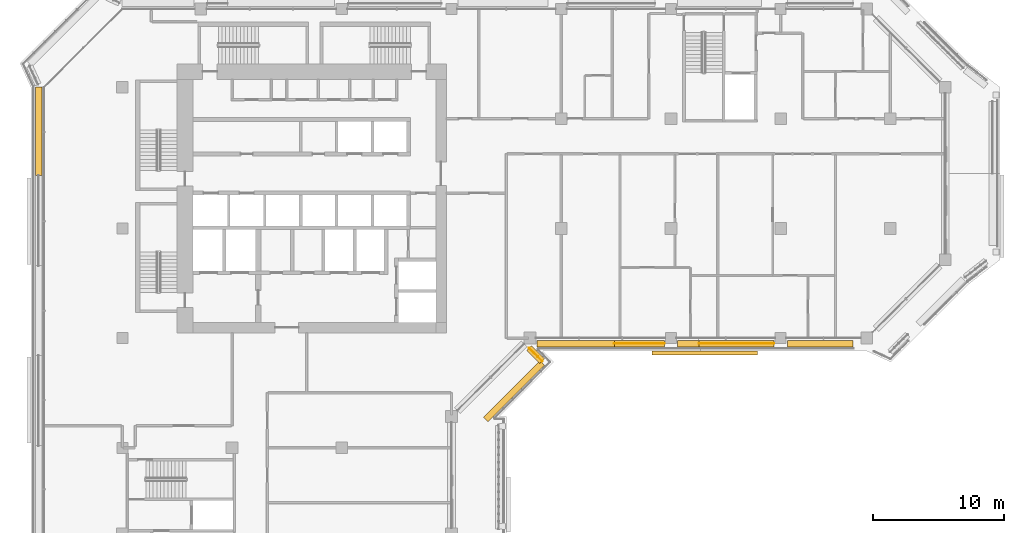
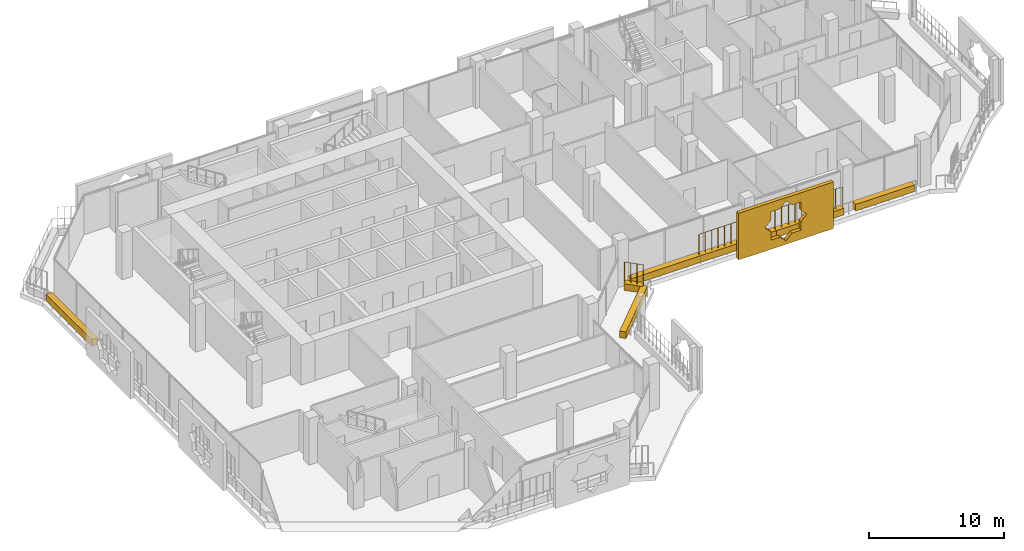
# One storey, part 17 of 20: 9 coverings, 3 railings.
"""IFC4 building model written with IfcOpenShell, lengths in metres."""

from ifc_helpers import new_model, si_unit, direction, frame, origin, origin_2d, place, context, subcontext, project, spatial, polyline, rectangle, circle, outline, extrude, material, material_profile, profile_set, type_object, element, save


model = new_model("IFC4")

# Units and contexts
model_context = context("Model", 3, precision=1e-05, world=origin(), true_north=direction((0.0, 1.0)))
body_context = subcontext(model_context, "Body", "Model", "MODEL_VIEW")
ifc_project = project(units=[si_unit("LENGTHUNIT", "METRE"), si_unit("AREAUNIT", "SQUARE_METRE"), si_unit("VOLUMEUNIT", "CUBIC_METRE"), si_unit("PLANEANGLEUNIT", "RADIAN"), si_unit("MASSUNIT", "GRAM", prefix="KILO")], contexts=[model_context])

# Site, building, storey
site_placement = place(None, origin())
site = spatial("IfcSite", under=ifc_project, at=site_placement, CompositionType="ELEMENT")
building_placement = place(site_placement, origin())
building = spatial("IfcBuilding", under=site, at=building_placement, Name="Kawkab Arch Medical Tower", CompositionType="ELEMENT")
storey_placement = place(building_placement, frame((0.0, 0.0, 239.0)))
storey = spatial("IfcBuildingStorey", under=building, at=storey_placement, Name="L55", CompositionType="ELEMENT", Elevation=239.0)

# Coverings
ifc_material_1 = material(Name="Bronze anodised aluminium mashrabiya panel, eight-point star pattern", Category="aluminium")
ifc_material_profile_1 = material_profile(ifc_material_1, outline(polyline([(-4.050048828125, -2.10009765625), (4.050048828125, -2.10009765625), (4.050048828125, 2.10009765625), (-4.050048828125, 2.10009765625), (-4.050048828125, -2.10009765625)]), holes=[polyline([(1.800048828125, 0.0), (1.272705078125, 0.527099609375), (1.272705078125, 1.272705078125), (0.527099609375, 1.272705078125), (0.0, 1.800048828125), (-0.527099609375, 1.272705078125), (-1.272705078125, 1.272705078125), (-1.272705078125, 0.527099609375), (-1.800048828125, 0.0), (-1.272705078125, -0.527099609375), (-1.272705078125, -1.272705078125), (-0.527099609375, -1.272705078125), (0.0, -1.800048828125), (0.527099609375, -1.272705078125), (1.272705078125, -1.272705078125), (1.272705078125, -0.527099609375), (1.800048828125, 0.0)])]), Name="Mashrabiya panel 8100x4200")
ifc_profile_set_1 = profile_set([ifc_material_profile_1], Name="Bronze anodised aluminium mashrabiya panel, eight-point star pattern")
covering_type_1 = type_object("IfcCoveringType", Name="Mashrabiya panel 8100 x 4200", PredefinedType="USERDEFINED", material=ifc_profile_set_1)
covering_1_placement = place(storey_placement, frame((44.59228515625, -26.199951171875, 1.699951171875), z_axis=(0.0, -1.0, 0.0), x_axis=(1.0, 0.0, 0.0)))
element("IfcCovering", 1, at=covering_1_placement, inside=storey, type_object=covering_type_1, Name="Mashrabiya panel L55.LOG-01-01.10", ObjectType="SCREEN", PredefinedType="USERDEFINED", context=body_context, shape_type="SweptSolid", body=[
    extrude(outline(polyline([(-4.050048828125, -2.10009765625), (4.050048828125, -2.10009765625), (4.050048828125, 2.10009765625), (-4.050048828125, 2.10009765625), (-4.050048828125, -2.10009765625)]), holes=[polyline([(1.800048828125, 0.0), (1.272705078125, 0.527099609375), (1.272705078125, 1.272705078125), (0.527099609375, 1.272705078125), (0.0, 1.800048828125), (-0.527099609375, 1.272705078125), (-1.272705078125, 1.272705078125), (-1.272705078125, 0.527099609375), (-1.800048828125, 0.0), (-1.272705078125, -0.527099609375), (-1.272705078125, -1.272705078125), (-0.527099609375, -1.272705078125), (0.0, -1.800048828125), (0.527099609375, -1.272705078125), (1.272705078125, -1.272705078125), (1.272705078125, -0.527099609375), (1.800048828125, 0.0)])]), origin(), (0.0, 0.0, 1.0), 0.300048828125),
])
ifc_material_2 = material(Name="Planting soil in a precast trough", Category="concrete")
ifc_material_profile_2 = material_profile(ifc_material_2, rectangle(XDim=0.5, YDim=0.60009765625, at=origin_2d()), Name="Trough 500x600")
ifc_profile_set_2 = profile_set([ifc_material_profile_2], Name="Planting soil in a precast trough")
covering_type_2 = type_object("IfcCoveringType", Name="Planter trough 500 x 600", PredefinedType="USERDEFINED", material=ifc_profile_set_2)
covering_2_placement = place(storey_placement, frame((-6.419921875, -12.763916015625, 0.300048828125), z_axis=(0.0, 1.0, 0.0), x_axis=(-1.0, 0.0, 0.0)))
element("IfcCovering", 2, at=covering_2_placement, inside=storey, type_object=covering_type_2, Name="Planter L55.LOG-01-01.12", ObjectType="PLANTER", PredefinedType="USERDEFINED", context=body_context, shape_type="SweptSolid", body=[
    extrude(rectangle(XDim=0.5, YDim=0.60009765625, at=origin_2d()), origin(), (0.0, 0.0, 1.0), 6.789794921875),
])
covering_3_placement = place(storey_placement, frame((55.919921875, -25.6201171875, 0.300048828125), z_axis=(-1.0, 0.0, 0.0), x_axis=(0.0, -1.0, 0.0)))
element("IfcCovering", 3, at=covering_3_placement, inside=storey, type_object=covering_type_2, Name="Planter L55.LOG-01-01.32", ObjectType="PLANTER", PredefinedType="USERDEFINED", context=body_context, shape_type="SweptSolid", body=[
    extrude(rectangle(XDim=0.5, YDim=0.60009765625, at=origin_2d()), origin(), (0.0, 0.0, 1.0), 5.014892578125),
])
covering_4_placement = place(storey_placement, frame((49.89501953125, -25.6201171875, 0.300048828125), z_axis=(-1.0, 0.0, 0.0), x_axis=(0.0, -1.0, 0.0)))
element("IfcCovering", 4, at=covering_4_placement, inside=storey, type_object=covering_type_2, Name="Planter L55.LOG-01-01.33", ObjectType="PLANTER", PredefinedType="USERDEFINED", context=body_context, shape_type="SweptSolid", body=[
    extrude(rectangle(XDim=0.5, YDim=0.60009765625, at=origin_2d()), origin(), (0.0, 0.0, 1.0), 5.739990234375),
])
covering_5_placement = place(storey_placement, frame((44.155029296875, -25.6201171875, 0.300048828125), z_axis=(-1.0, 0.0, 0.0), x_axis=(0.0, -1.0, 0.0)))
element("IfcCovering", 5, at=covering_5_placement, inside=storey, type_object=covering_type_2, Name="Planter L55.LOG-01-01.34", ObjectType="PLANTER", PredefinedType="USERDEFINED", context=body_context, shape_type="SweptSolid", body=[
    extrude(rectangle(XDim=0.5, YDim=0.60009765625, at=origin_2d()), origin(), (0.0, 0.0, 1.0), 1.650146484375),
])
covering_6_placement = place(storey_placement, frame((41.4951171875, -25.6201171875, 0.300048828125), z_axis=(-1.0, 0.0, 0.0), x_axis=(0.0, -1.0, 0.0)))
element("IfcCovering", 6, at=covering_6_placement, inside=storey, type_object=covering_type_2, Name="Planter L55.LOG-01-01.35", ObjectType="PLANTER", PredefinedType="USERDEFINED", context=body_context, shape_type="SweptSolid", body=[
    extrude(rectangle(XDim=0.5, YDim=0.60009765625, at=origin_2d()), origin(), (0.0, 0.0, 1.0), 3.8251953125),
])
covering_7_placement = place(storey_placement, frame((37.669921875, -25.6201171875, 0.300048828125), z_axis=(-1.0, 0.0, 0.0), x_axis=(0.0, -1.0, 0.0)))
element("IfcCovering", 7, at=covering_7_placement, inside=storey, type_object=covering_type_2, Name="Planter L55.LOG-01-01.36", ObjectType="PLANTER", PredefinedType="USERDEFINED", context=body_context, shape_type="SweptSolid", body=[
    extrude(rectangle(XDim=0.5, YDim=0.60009765625, at=origin_2d()), origin(), (0.0, 0.0, 1.0), 5.93994140625),
])
covering_8_placement = place(storey_placement, frame((31.14306640625, -25.962890625, 0.300048828125), z_axis=(0.707020805532, -0.707192746389, 0.0), x_axis=(0.707192746389, 0.707020805532, 0.0)))
element("IfcCovering", 8, at=covering_8_placement, inside=storey, type_object=covering_type_2, Name="Planter L55.LOG-01-01.37", ObjectType="PLANTER", PredefinedType="USERDEFINED", context=body_context, shape_type="SweptSolid", body=[
    extrude(rectangle(XDim=0.5, YDim=0.60009765625, at=origin_2d()), origin(), (0.0, 0.0, 1.0), 1.419921875),
])
covering_9_placement = place(storey_placement, frame((32.14697265625, -27.10888671875, 0.300048828125), z_axis=(-0.707007043994, -0.707206504313, 0.0), x_axis=(0.707206504313, -0.707007043994, 0.0)))
element("IfcCovering", 9, at=covering_9_placement, inside=storey, type_object=covering_type_2, Name="Planter L55.LOG-01-01.38", ObjectType="PLANTER", PredefinedType="USERDEFINED", context=body_context, shape_type="SweptSolid", body=[
    extrude(rectangle(XDim=0.5, YDim=0.60009765625, at=origin_2d()), origin(), (0.0, 0.0, 1.0), 6.1201171875),
])

# Railings
ifc_material_3 = material(Name="Bronze anodised aluminium trellis for climbing plants", Category="aluminium")
railing_type = type_object("IfcRailingType", Name="Planting trellis 2400", PredefinedType="USERDEFINED", material=ifc_material_3)
railing_1_placement = place(storey_placement, frame((49.89501953125, -25.6201171875, 0.0)))
element("IfcRailing", 10, at=railing_1_placement, inside=storey, type_object=railing_type, Name="Planting trellis L55.LOG-01-01.33", ObjectType="TRELLIS", PredefinedType="USERDEFINED", context=body_context, shape_type="SweptSolid", body=[
    extrude(circle(Radius=0.01513671875, at=origin_2d()), frame((0.0, 0.0, 2.384765625), z_axis=(-1.0, 0.0, 0.0), x_axis=(0.0, -1.0, 0.0)), (0.0, 0.0, 1.0), 5.739990234375),
    extrude(circle(Radius=0.030029296875, at=origin_2d()), origin(), (0.0, 0.0, 1.0), 2.369873046875),
    extrude(circle(Radius=0.030029296875, at=origin_2d()), frame((-0.573974609375, 0.0, 0.0)), (0.0, 0.0, 1.0), 2.369873046875),
    extrude(circle(Radius=0.030029296875, at=origin_2d()), frame((-1.14794921875, 0.0, 0.0)), (0.0, 0.0, 1.0), 2.369873046875),
    extrude(circle(Radius=0.030029296875, at=origin_2d()), frame((-1.721923828125, 0.0, 0.0)), (0.0, 0.0, 1.0), 2.369873046875),
    extrude(circle(Radius=0.030029296875, at=origin_2d()), frame((-2.2958984375, 0.0, 0.0)), (0.0, 0.0, 1.0), 2.369873046875),
    extrude(circle(Radius=0.030029296875, at=origin_2d()), frame((-2.8701171875, 0.0, 0.0)), (0.0, 0.0, 1.0), 2.369873046875),
    extrude(circle(Radius=0.030029296875, at=origin_2d()), frame((-3.444091796875, 0.0, 0.0)), (0.0, 0.0, 1.0), 2.369873046875),
    extrude(circle(Radius=0.030029296875, at=origin_2d()), frame((-4.01806640625, 0.0, 0.0)), (0.0, 0.0, 1.0), 2.369873046875),
    extrude(circle(Radius=0.030029296875, at=origin_2d()), frame((-4.592041015625, 0.0, 0.0)), (0.0, 0.0, 1.0), 2.369873046875),
    extrude(circle(Radius=0.030029296875, at=origin_2d()), frame((-5.166015625, 0.0, 0.0)), (0.0, 0.0, 1.0), 2.369873046875),
    extrude(circle(Radius=0.030029296875, at=origin_2d()), frame((-5.739990234375, 0.0, 0.0)), (0.0, 0.0, 1.0), 2.369873046875),
])
railing_2_placement = place(storey_placement, frame((41.4951171875, -25.6201171875, 0.0)))
element("IfcRailing", 11, at=railing_2_placement, inside=storey, type_object=railing_type, Name="Planting trellis L55.LOG-01-01.35", ObjectType="TRELLIS", PredefinedType="USERDEFINED", context=body_context, shape_type="SweptSolid", body=[
    extrude(circle(Radius=0.01513671875, at=origin_2d()), frame((0.0, 0.0, 2.384765625), z_axis=(-1.0, 0.0, 0.0), x_axis=(0.0, -1.0, 0.0)), (0.0, 0.0, 1.0), 3.8251953125),
    extrude(circle(Radius=0.030029296875, at=origin_2d()), origin(), (0.0, 0.0, 1.0), 2.369873046875),
    extrude(circle(Radius=0.030029296875, at=origin_2d()), frame((-0.54638671875, 0.0, 0.0)), (0.0, 0.0, 1.0), 2.369873046875),
    extrude(circle(Radius=0.030029296875, at=origin_2d()), frame((-1.093017578125, 0.0, 0.0)), (0.0, 0.0, 1.0), 2.369873046875),
    extrude(circle(Radius=0.030029296875, at=origin_2d()), frame((-1.639404296875, 0.0, 0.0)), (0.0, 0.0, 1.0), 2.369873046875),
    extrude(circle(Radius=0.030029296875, at=origin_2d()), frame((-2.185791015625, 0.0, 0.0)), (0.0, 0.0, 1.0), 2.369873046875),
    extrude(circle(Radius=0.030029296875, at=origin_2d()), frame((-2.732177734375, 0.0, 0.0)), (0.0, 0.0, 1.0), 2.369873046875),
    extrude(circle(Radius=0.030029296875, at=origin_2d()), frame((-3.27880859375, 0.0, 0.0)), (0.0, 0.0, 1.0), 2.369873046875),
    extrude(circle(Radius=0.030029296875, at=origin_2d()), frame((-3.8251953125, 0.0, 0.0)), (0.0, 0.0, 1.0), 2.369873046875),
])
railing_3_placement = place(storey_placement, frame((31.14306640625, -25.962890625, 0.0)))
element("IfcRailing", 12, at=railing_3_placement, inside=storey, type_object=railing_type, Name="Planting trellis L55.LOG-01-01.37", ObjectType="TRELLIS", PredefinedType="USERDEFINED", context=body_context, shape_type="SweptSolid", body=[
    extrude(circle(Radius=0.01513671875, at=origin_2d()), frame((0.0, 0.0, 2.384765625), z_axis=(0.707020805532, -0.707192746389, 0.0), x_axis=(0.707192746389, 0.707020805532, 0.0)), (0.0, 0.0, 1.0), 1.419921875),
    extrude(circle(Radius=0.030029296875, at=origin_2d()), origin(), (0.0, 0.0, 1.0), 2.369873046875),
    extrude(circle(Radius=0.030029296875, at=origin_2d()), frame((0.334716796875, -0.334716796875, 0.0)), (0.0, 0.0, 1.0), 2.369873046875),
    extrude(circle(Radius=0.030029296875, at=origin_2d()), frame((0.669189453125, -0.66943359375, 0.0)), (0.0, 0.0, 1.0), 2.369873046875),
    extrude(circle(Radius=0.030029296875, at=origin_2d()), frame((1.00390625, -1.004150390625, 0.0)), (0.0, 0.0, 1.0), 2.369873046875),
])

save(model, "model.ifc")
